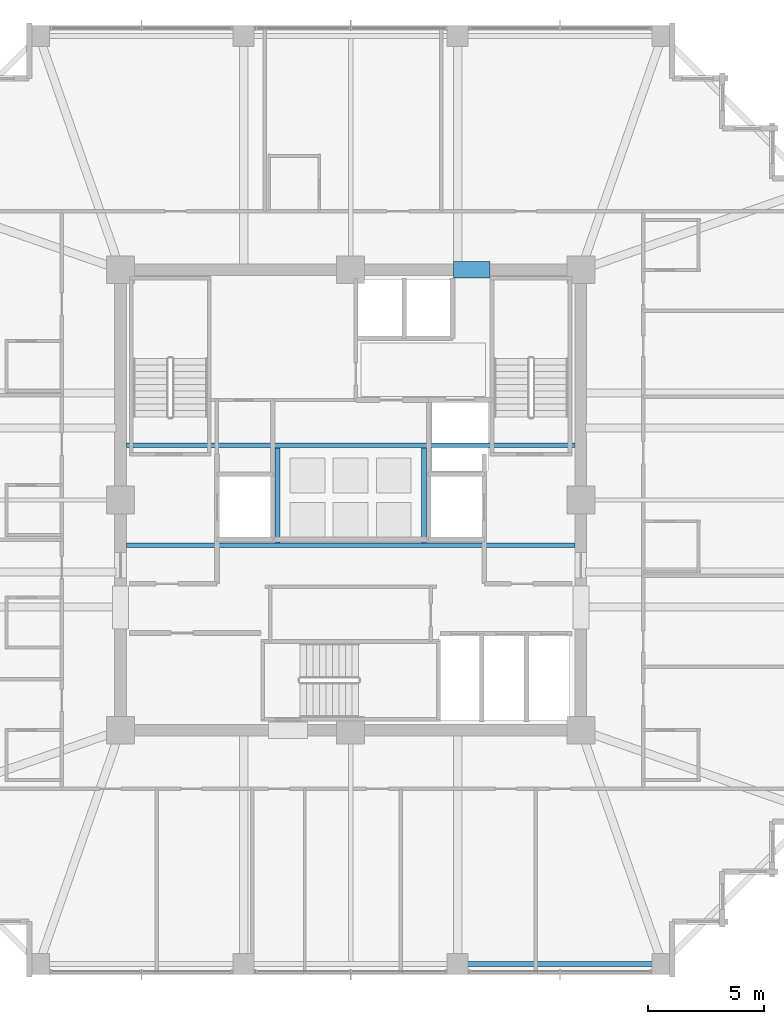
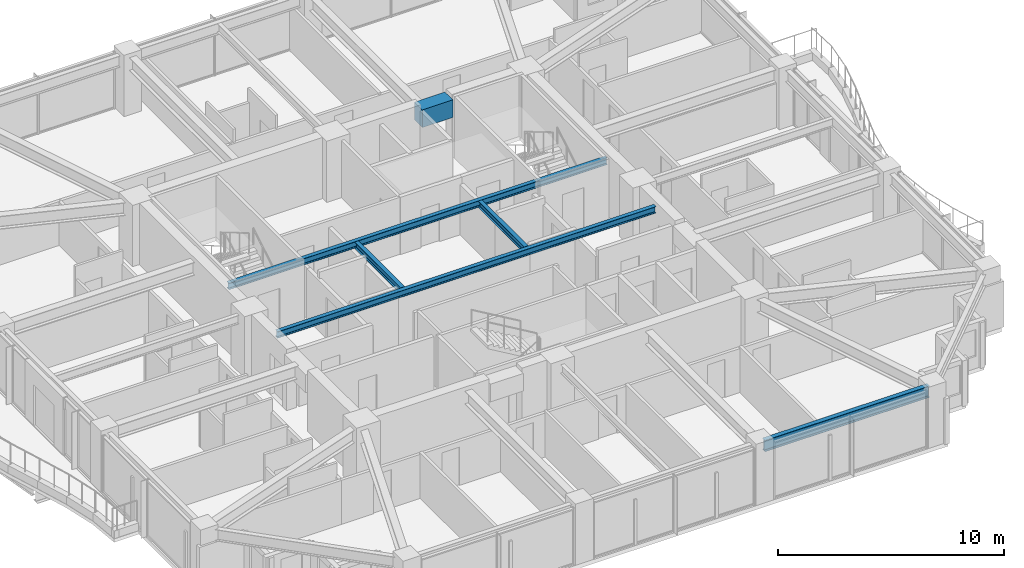
# One storey, part 9 of 34: 6 beams.
"""IFC4 building model written with IfcOpenShell, lengths in metres."""

from ifc_helpers import new_model, si_unit, direction, frame, origin, origin_2d, place, context, subcontext, project, spatial, rectangle, i_section, extrude, material, material_profile, profile_set, type_object, element, save


model = new_model("IFC4")

# Units and contexts
model_context = context("Model", 3, precision=1e-05, world=origin(), true_north=direction((0.0, 1.0)))
body_context = subcontext(model_context, "Body", "Model", "MODEL_VIEW")
ifc_project = project(units=[si_unit("LENGTHUNIT", "METRE"), si_unit("AREAUNIT", "SQUARE_METRE"), si_unit("VOLUMEUNIT", "CUBIC_METRE"), si_unit("PLANEANGLEUNIT", "RADIAN"), si_unit("MASSUNIT", "GRAM", prefix="KILO")], contexts=[model_context])

# Site, building, storey
site_placement = place(None, origin())
site = spatial("IfcSite", under=ifc_project, at=site_placement, CompositionType="ELEMENT")
building_placement = place(site_placement, origin())
building = spatial("IfcBuilding", under=site, at=building_placement, Name="Kolvaren Belvedere", CompositionType="ELEMENT")
storey_placement = place(building_placement, frame((0.0, 0.0, 189.89990234375)))
storey = spatial("IfcBuildingStorey", under=building, at=storey_placement, Name="L55", CompositionType="ELEMENT", Elevation=189.89990234375)

# Beams
ifc_material_1 = material(Name="Structural steel ASTM A992 Grade 50", Category="steel")
ifc_material_profile_1 = material_profile(ifc_material_1, i_section(OverallWidth=0.2041015625, OverallDepth=0.35009765625, WebThickness=0.008544921875, FlangeThickness=0.01513671875, FilletRadius=0.013916015625, at=origin_2d()), Name="W14X48")
ifc_profile_set_1 = profile_set([ifc_material_profile_1], Name="Structural steel ASTM A992 Grade 50")
beam_type_1 = type_object("IfcBeamType", Name="BM-ATRIUM-W14X48", PredefinedType="BEAM", material=ifc_profile_set_1)
for number, where, z_axis, x_axis, name in (
    (1, (-9.64990234375, -1.949951171875, 2.905029296875), (1.0, 0.0, 0.0), (0.0, 1.0, 0.0), "L55 Central Atrium South Girder AS"),
    (2, (-9.64990234375, 2.35009765625, 2.905029296875), (1.0, 0.0, 0.0), (0.0, 1.0, 0.0), "L55 Central Atrium North Girder AN"),
):
    element("IfcBeam", number, at=place(storey_placement, frame(where, z_axis=z_axis, x_axis=x_axis)), inside=storey, type_object=beam_type_1, Name=name, PredefinedType="BEAM", context=body_context, shape_type="SweptSolid", body=[
        extrude(i_section(OverallWidth=0.2041015625, OverallDepth=0.35009765625, WebThickness=0.008544921875, FlangeThickness=0.01513671875, FilletRadius=0.013916015625, at=origin_2d()), origin(), (0.0, 0.0, 1.0), 19.2998046875),
    ])
for number, where, z_axis, x_axis, name in (
    (3, (-3.14990234375, -1.840087890625, 2.905029296875), (0.0, 1.0, 0.0), (-1.0, 0.0, 0.0), "L55 Central Atrium West Edge Beam AW"),
    (4, (3.14990234375, -1.840087890625, 2.905029296875), (0.0, 1.0, 0.0), (-1.0, 0.0, 0.0), "L55 Central Atrium East Edge Beam AE"),
):
    element("IfcBeam", number, at=place(storey_placement, frame(where, z_axis=z_axis, x_axis=x_axis)), inside=storey, type_object=beam_type_1, Name=name, PredefinedType="BEAM", context=body_context, shape_type="SweptSolid", body=[
        extrude(i_section(OverallWidth=0.2041015625, OverallDepth=0.35009765625, WebThickness=0.008544921875, FlangeThickness=0.01513671875, FilletRadius=0.013916015625, at=origin_2d()), origin(), (0.0, 0.0, 1.0), 4.080078125),
    ])
ifc_material_2 = material(Name="Concrete C60/75", Category="concrete")
ifc_material_profile_2 = material_profile(ifc_material_2, rectangle(XDim=0.699951171875, YDim=0.949951171875, at=origin_2d()), Name="RC 700X950")
ifc_profile_set_2 = profile_set([ifc_material_profile_2], Name="Concrete C60/75")
beam_type_2 = type_object("IfcBeamType", Name="BM-LINT-950", PredefinedType="LINTEL", material=ifc_profile_set_2)
beam_1_placement = place(storey_placement, frame((4.419921875, 9.89990234375, 2.60498046875), z_axis=(1.0, 0.0, 0.0), x_axis=(0.0, 1.0, 0.0)))
element("IfcBeam", 5, at=beam_1_placement, inside=storey, type_object=beam_type_2, Name="L55 North Core Coupling Lintel", PredefinedType="LINTEL", context=body_context, shape_type="SweptSolid", body=[
    extrude(rectangle(XDim=0.699951171875, YDim=0.949951171875, at=origin_2d()), origin(), (0.0, 0.0, 1.0), 1.56005859375),
])
ifc_material_3 = material(Name="Structural steel ASTM A992 Grade 50", Category="steel")
ifc_material_profile_3 = material_profile(ifc_material_3, i_section(OverallWidth=0.22900390625, OverallDepth=0.612060546875, WebThickness=0.011962890625, FlangeThickness=0.01953125, FilletRadius=0.01806640625, at=origin_2d()), Name="W24X84")
ifc_profile_set_3 = profile_set([ifc_material_profile_3], Name="Structural steel ASTM A992 Grade 50")
beam_type_3 = type_object("IfcBeamType", Name="BM-SPAN-W24X84", PredefinedType="SPANDREL", material=ifc_profile_set_3)
beam_2_placement = place(storey_placement, frame((4.802490234375, -19.949951171875, 2.774169921875), z_axis=(1.0, 0.0, 0.0), x_axis=(0.0, 1.0, 0.0)))
element("IfcBeam", 6, at=beam_2_placement, inside=storey, type_object=beam_type_3, Name="L55 Perimeter Spandrel S3-S4", PredefinedType="SPANDREL", context=body_context, shape_type="SweptSolid", body=[
    extrude(i_section(OverallWidth=0.22900390625, OverallDepth=0.612060546875, WebThickness=0.011962890625, FlangeThickness=0.01953125, FilletRadius=0.01806640625, at=origin_2d()), origin(), (0.0, 0.0, 1.0), 8.39501953125),
])

save(model, "model.ifc")
